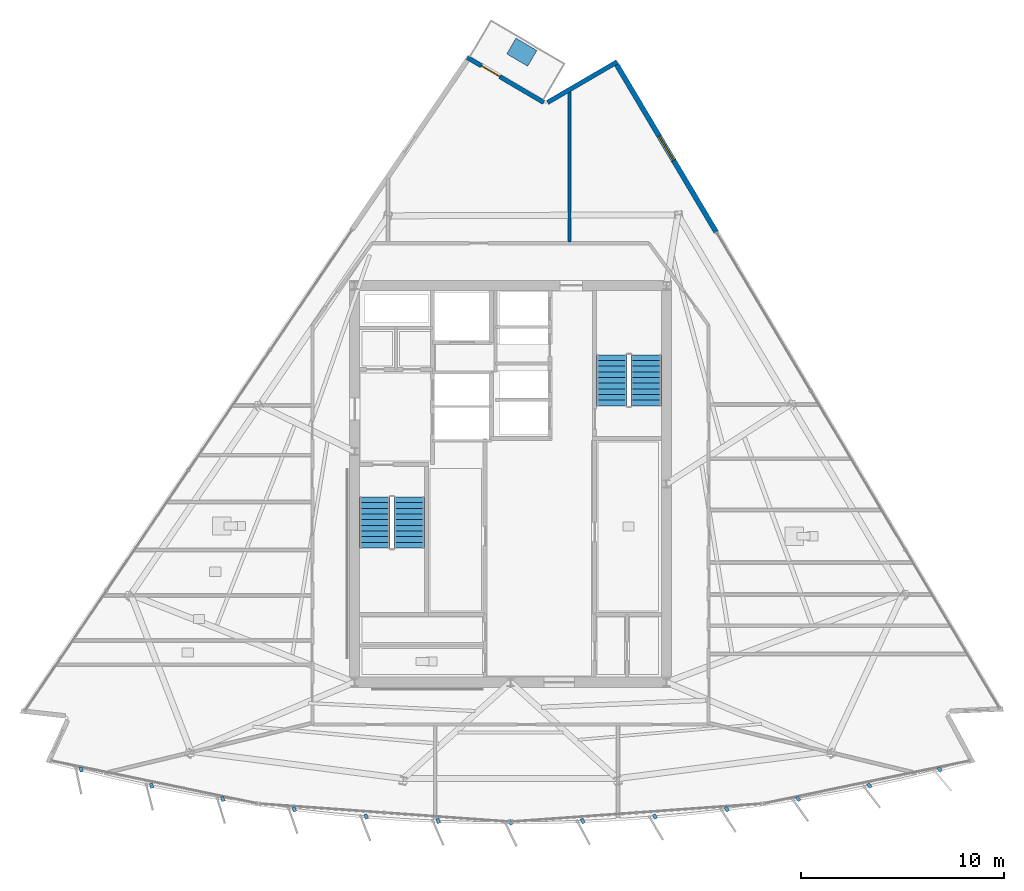
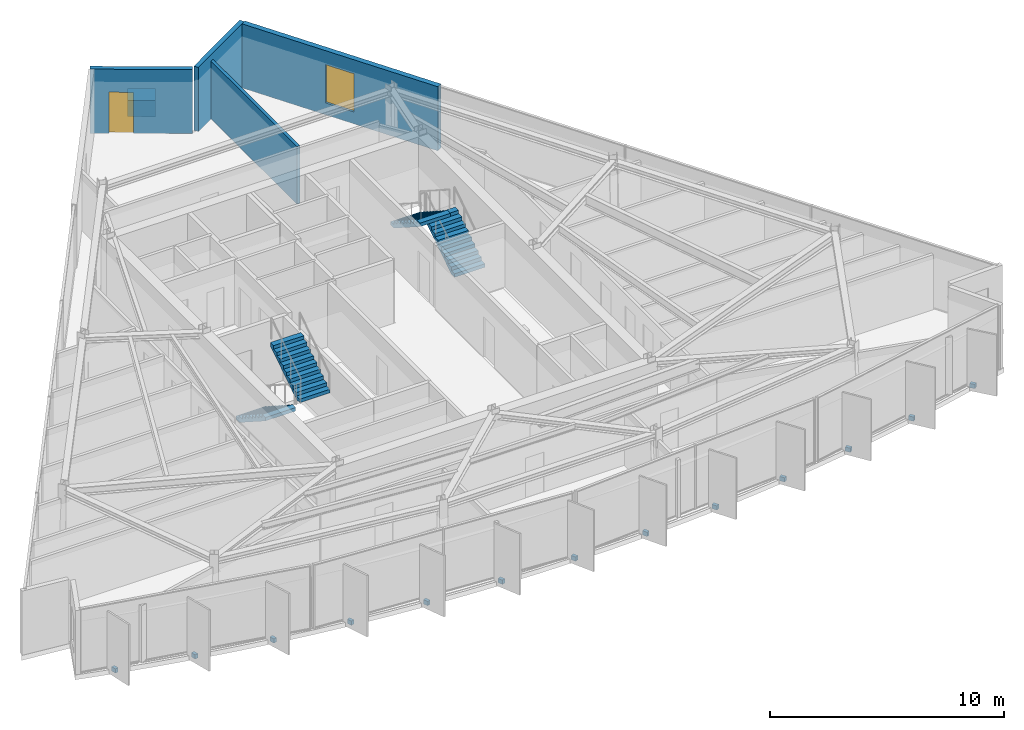
# One storey, part 9 of 13: 14 discrete accessories, 4 stair flights, 4 walls, 1 door, 1 window, 2 openings, 2 elements without a shape of their own.
"""IFC4 building model written with IfcOpenShell, lengths in metres."""

from ifc_helpers import new_model, si_unit, direction, frame, frame_2d, origin, origin_2d, place, context, subcontext, project, spatial, polyline, rectangle, outline, extrude, material, layer, layer_set, type_object, element, fill, aggregate, save


model = new_model("IFC4")

# Units and contexts
model_context = context("Model", 3, precision=1e-05, world=origin(), true_north=direction((0.0, 1.0)))
body_context = subcontext(model_context, "Body", "Model", "MODEL_VIEW")
ifc_project = project(units=[si_unit("LENGTHUNIT", "METRE"), si_unit("AREAUNIT", "SQUARE_METRE"), si_unit("VOLUMEUNIT", "CUBIC_METRE"), si_unit("PLANEANGLEUNIT", "RADIAN"), si_unit("MASSUNIT", "GRAM", prefix="KILO")], contexts=[model_context])

# Site, building, storey
site_placement = place(None, origin())
site = spatial("IfcSite", under=ifc_project, at=site_placement, CompositionType="ELEMENT")
building_placement = place(site_placement, origin())
building = spatial("IfcBuilding", under=site, at=building_placement, Name="Savorim Split Tower", CompositionType="ELEMENT")
storey_placement = place(building_placement, frame((0.0, 0.0, 254.39990234375)))
storey = spatial("IfcBuildingStorey", under=building, at=storey_placement, Name="L67", CompositionType="ELEMENT", Elevation=254.39990234375)

# Wall
ifc_material_1 = material(Name="Precast concrete C40/50", Category="concrete")
ifc_layer_1 = layer(ifc_material_1, 0.219970703125)
ifc_layer_set_1 = layer_set([ifc_layer_1], Name="WAL-EXT-CRN220")
wall_type_1 = type_object("IfcWallType", Name="WAL-EXT-CRN220", PredefinedType="SOLIDWALL", material=ifc_layer_set_1)
wall_1_placement = place(storey_placement, frame((1.832275390625, 19.233642578125, 0.0), z_axis=(0.0, 0.0, 1.0), x_axis=(0.86397765749, 0.503530145432, 0.0)))
element("IfcWall", 1, at=wall_1_placement, inside=storey, type_object=wall_type_1, Name="L67 Notched Corner Facade Wall NE1", PredefinedType="SOLIDWALL", context=body_context, shape_type="SweptSolid", body=[
    extrude(rectangle(XDim=3.963623046875, YDim=0.219970703125, at=frame_2d((1.98193359375, 0.0))), origin(), (0.0, 0.0, 1.0), 3.35009765625),
])

# Wall, opening, door
wall_2_placement = place(storey_placement, frame((-2.1337890625, 21.453125, 0.0), z_axis=(0.0, 0.0, 1.0), x_axis=(0.862106131527, -0.506727755292, 0.0)))
wall_2 = element("IfcWall", 2, at=wall_2_placement, inside=storey, type_object=wall_type_1, Name="L67 Notched Corner Facade Wall N", PredefinedType="SOLIDWALL", context=body_context, shape_type="SweptSolid", body=[
    extrude(rectangle(XDim=4.379638671875, YDim=0.219970703125, at=frame_2d((2.18994140625, 0.0))), origin(), (0.0, 0.0, 1.0), 3.35009765625),
])
opening_1_placement = place(wall_2_placement, frame((0.814697265625, 0.0, 0.0)))
opening_1 = element("IfcOpeningElement", 3, at=opening_1_placement, cuts=wall_2, Name="Opening DB-01", PredefinedType="OPENING", context=body_context, shape_type="SweptSolid", body=[
    extrude(rectangle(XDim=1.050048828125, YDim=2.14990234375, at=frame_2d((0.52490234375, 1.074951171875))), frame((0.0, 0.119873046875, 0.0), z_axis=(0.0, -1.0, 0.0), x_axis=(1.0, 0.0, 0.0)), (0.0, 0.0, 1.0), 0.239990234375),
])
ifc_material_2 = material(Name="Charcoal Anodised Aluminium", Category="aluminium")
door_type = type_object("IfcDoorType", Name="DOR-BAL-1050", OperationType="NOTDEFINED", PredefinedType="DOOR", material=ifc_material_2)
door_placement = place(opening_1_placement, origin())
door = element("IfcDoor", 4, at=door_placement, inside=storey, type_object=door_type, Name="DOR-L67-TBAL-N - L67 Planted Tree Balcony Door N", OperationType="SINGLE_SWING_RIGHT", OverallHeight=2.14990234375, OverallWidth=1.050048828125, PredefinedType="DOOR", context=body_context, shape_type="SweptSolid", body=[
    extrude(rectangle(XDim=1.050048828125, YDim=2.14990234375, at=frame_2d((0.52490234375, 1.074951171875))), frame((0.0, 0.02490234375, 0.0), z_axis=(0.0, -1.0, 0.0), x_axis=(1.0, 0.0, 0.0)), (0.0, 0.0, 1.0), 0.050048828125),
])
fill(opening_1, door)

# Wall, opening, window
ifc_layer_2 = layer(ifc_material_1, 0.25)
ifc_layer_set_2 = layer_set([ifc_layer_2], Name="WAL-EXT-SPN250")
wall_type_2 = type_object("IfcWallType", Name="WAL-EXT-SPN250", PredefinedType="SOLIDWALL", material=ifc_layer_set_2)
wall_3_placement = place(storey_placement, frame((5.240234375, 21.10302734375, 0.0), z_axis=(0.0, 0.0, 1.0), x_axis=(0.511088566076, -0.859528055171, 0.0)))
wall_3 = element("IfcWall", 5, at=wall_3_placement, inside=storey, type_object=wall_type_2, Name="L67 East Operable Window Pier", PredefinedType="SOLIDWALL", context=body_context, shape_type="SweptSolid", body=[
    extrude(rectangle(XDim=9.62158203125, YDim=0.25, at=frame_2d((4.810791015625, 0.0))), origin(), (0.0, 0.0, 1.0), 3.35009765625),
])
opening_2_placement = place(wall_3_placement, frame((4.11083984375, 0.0, 0.6201171875)))
opening_2 = element("IfcOpeningElement", 6, at=opening_2_placement, cuts=wall_3, Name="Opening WN-07", PredefinedType="OPENING", context=body_context, shape_type="SweptSolid", body=[
    extrude(rectangle(XDim=1.39990234375, YDim=2.0, at=frame_2d((0.699951171875, 1.0))), frame((0.0, 0.135009765625, 0.0), z_axis=(0.0, -1.0, 0.0), x_axis=(1.0, 0.0, 0.0)), (0.0, 0.0, 1.0), 0.27001953125),
])
ifc_material_3 = material(Name="Low-E Operable Double Glazing", Category="glass")
window_type = type_object("IfcWindowType", Name="WIN-TWR-1400x2000", PartitioningType="SINGLE_PANEL", PredefinedType="WINDOW", material=ifc_material_3)
window_placement = place(opening_2_placement, origin())
window = element("IfcWindow", 7, at=window_placement, inside=storey, type_object=window_type, Name="L67 East Operable Ventilation Window", OverallHeight=2.0, OverallWidth=1.39990234375, PartitioningType="SINGLE_PANEL", PredefinedType="WINDOW", context=body_context, shape_type="SweptSolid", body=[
    extrude(rectangle(XDim=1.39990234375, YDim=2.0, at=frame_2d((0.699951171875, 1.0))), frame((0.0, 0.030029296875, 0.0), z_axis=(0.0, -1.0, 0.0), x_axis=(1.0, 0.0, 0.0)), (0.0, 0.0, 1.0), 0.06005859375),
])
fill(opening_2, window)

# Wall
ifc_material_4 = material(Name="Acoustic Gypsum Partition Board")
ifc_layer_3 = layer(ifc_material_4, 0.14990234375)
ifc_layer_set_3 = layer_set([ifc_layer_3], Name="WAL-PAR-150")
wall_type_3 = type_object("IfcWallType", Name="WAL-PAR-150", PredefinedType="PARTITIONING", material=ifc_layer_set_3)
wall_4_placement = place(storey_placement, frame((2.91162109375, 12.340087890625, 0.0), z_axis=(0.0, 0.0, 1.0), x_axis=(0.0, 1.0, 0.0)))
element("IfcWall", 8, at=wall_4_placement, inside=storey, type_object=wall_type_3, Name="L67 Partition W-L67-SUB11", PredefinedType="PARTITIONING", context=body_context, shape_type="SweptSolid", body=[
    extrude(rectangle(XDim=7.46484375, YDim=0.14990234375, at=frame_2d((3.732421875, 0.0))), origin(), (0.0, 0.0, 1.0), 3.01513671875),
])

# Stair, stair flights
ifc_material_5 = material(Name="Concrete C50/60", Category="concrete")
stair_type = type_object("IfcStairType", Name="STR-DOG-3600", PredefinedType="HALF_TURN_STAIR", material=ifc_material_5)
stair_1_placement = place(storey_placement, origin())
stair_1 = element("IfcStair", 9, at=stair_1_placement, inside=storey, type_object=stair_type, Name="L67 Core Protected Exit Stair ST-1", PredefinedType="HALF_TURN_STAIR")
stair_flight_type = type_object("IfcStairFlightType", Name="SFL-DOG-3600", PredefinedType="STRAIGHT", material=ifc_material_5)
stair_flight_1_placement = place(storey_placement, frame((-6.699951171875, -0.25, 0.0), z_axis=(0.0, 0.0, 1.0), x_axis=(0.0, -1.0, 0.0)))
stair_flight_1 = element("IfcStairFlight", 10, at=stair_flight_1_placement, type_object=stair_flight_type, Name="ST-1 flight 1", NumberOfRisers=10, NumberOfTreads=9, PredefinedType="STRAIGHT", RiserHeight=0.18, TreadLength=0.28, context=body_context, shape_type="SweptSolid", body=[
    extrude(outline(polyline([(0.0, 0.0), (0.0, 0.179931640625), (0.280029296875, 0.179931640625), (0.280029296875, 0.360107421875), (0.56005859375, 0.360107421875), (0.56005859375, 0.5400390625), (0.840087890625, 0.5400390625), (0.840087890625, 0.719970703125), (1.1201171875, 0.719970703125), (1.1201171875, 0.89990234375), (1.39990234375, 0.89990234375), (1.39990234375, 1.080078125), (1.679931640625, 1.080078125), (1.679931640625, 1.260009765625), (1.9599609375, 1.260009765625), (1.9599609375, 1.43994140625), (2.239990234375, 1.43994140625), (2.239990234375, 1.6201171875), (2.52001953125, 1.6201171875), (2.52001953125, 1.800048828125), (2.52001953125, 1.44189453125), (0.277099609375, 0.0), (0.0, 0.0)])), frame((0.0, 0.75, 0.0), z_axis=(0.0, -1.0, 0.0), x_axis=(1.0, 0.0, 0.0)), (0.0, 0.0, 1.0), 1.5),
])
stair_flight_2_placement = place(storey_placement, frame((-5.0, -2.77001953125, 1.800048828125), z_axis=(0.0, 0.0, 1.0), x_axis=(0.0, 1.0, 0.0)))
stair_flight_2 = element("IfcStairFlight", 11, at=stair_flight_2_placement, type_object=stair_flight_type, Name="ST-1 flight 2", NumberOfRisers=10, NumberOfTreads=9, PredefinedType="STRAIGHT", RiserHeight=0.18, TreadLength=0.28, context=body_context, shape_type="SweptSolid", body=[
    extrude(outline(polyline([(0.0, 0.0), (0.0, 0.179931640625), (0.280029296875, 0.179931640625), (0.280029296875, 0.360107421875), (0.56005859375, 0.360107421875), (0.56005859375, 0.5400390625), (0.840087890625, 0.5400390625), (0.840087890625, 0.719970703125), (1.1201171875, 0.719970703125), (1.1201171875, 0.89990234375), (1.39990234375, 0.89990234375), (1.39990234375, 1.080078125), (1.679931640625, 1.080078125), (1.679931640625, 1.260009765625), (1.9599609375, 1.260009765625), (1.9599609375, 1.43994140625), (2.239990234375, 1.43994140625), (2.239990234375, 1.6201171875), (2.52001953125, 1.6201171875), (2.52001953125, 1.800048828125), (2.52001953125, 1.44189453125), (0.277099609375, 0.0), (0.0, 0.0)])), frame((0.0, 0.75, 0.0), z_axis=(0.0, -1.0, 0.0), x_axis=(1.0, 0.0, 0.0)), (0.0, 0.0, 1.0), 1.5),
])
aggregate(stair_1, [stair_flight_1, stair_flight_2])

stair_2_placement = place(storey_placement, origin())
stair_2 = element("IfcStair", 12, at=stair_2_placement, inside=storey, type_object=stair_type, Name="L67 Core Protected Exit Stair ST-2", PredefinedType="HALF_TURN_STAIR")
stair_flight_3_placement = place(storey_placement, frame((6.699951171875, 4.25, 0.0), z_axis=(0.0, 0.0, 1.0), x_axis=(0.0, 1.0, 0.0)))
stair_flight_3 = element("IfcStairFlight", 13, at=stair_flight_3_placement, type_object=stair_flight_type, Name="ST-2 flight 1", NumberOfRisers=10, NumberOfTreads=9, PredefinedType="STRAIGHT", RiserHeight=0.18, TreadLength=0.28, context=body_context, shape_type="SweptSolid", body=[
    extrude(outline(polyline([(0.0, 0.0), (0.0, 0.179931640625), (0.280029296875, 0.179931640625), (0.280029296875, 0.360107421875), (0.56005859375, 0.360107421875), (0.56005859375, 0.5400390625), (0.840087890625, 0.5400390625), (0.840087890625, 0.719970703125), (1.1201171875, 0.719970703125), (1.1201171875, 0.89990234375), (1.39990234375, 0.89990234375), (1.39990234375, 1.080078125), (1.679931640625, 1.080078125), (1.679931640625, 1.260009765625), (1.9599609375, 1.260009765625), (1.9599609375, 1.43994140625), (2.239990234375, 1.43994140625), (2.239990234375, 1.6201171875), (2.52001953125, 1.6201171875), (2.52001953125, 1.800048828125), (2.52001953125, 1.44189453125), (0.277099609375, 0.0), (0.0, 0.0)])), frame((0.0, 0.75, 0.0), z_axis=(0.0, -1.0, 0.0), x_axis=(1.0, 0.0, 0.0)), (0.0, 0.0, 1.0), 1.5),
])
stair_flight_4_placement = place(storey_placement, frame((5.0, 6.77001953125, 1.800048828125), z_axis=(0.0, 0.0, 1.0), x_axis=(0.0, -1.0, 0.0)))
stair_flight_4 = element("IfcStairFlight", 14, at=stair_flight_4_placement, type_object=stair_flight_type, Name="ST-2 flight 2", NumberOfRisers=10, NumberOfTreads=9, PredefinedType="STRAIGHT", RiserHeight=0.18, TreadLength=0.28, context=body_context, shape_type="SweptSolid", body=[
    extrude(outline(polyline([(0.0, 0.0), (0.0, 0.179931640625), (0.280029296875, 0.179931640625), (0.280029296875, 0.360107421875), (0.56005859375, 0.360107421875), (0.56005859375, 0.5400390625), (0.840087890625, 0.5400390625), (0.840087890625, 0.719970703125), (1.1201171875, 0.719970703125), (1.1201171875, 0.89990234375), (1.39990234375, 0.89990234375), (1.39990234375, 1.080078125), (1.679931640625, 1.080078125), (1.679931640625, 1.260009765625), (1.9599609375, 1.260009765625), (1.9599609375, 1.43994140625), (2.239990234375, 1.43994140625), (2.239990234375, 1.6201171875), (2.52001953125, 1.6201171875), (2.52001953125, 1.800048828125), (2.52001953125, 1.44189453125), (0.277099609375, 0.0), (0.0, 0.0)])), frame((0.0, 0.75, 0.0), z_axis=(0.0, -1.0, 0.0), x_axis=(1.0, 0.0, 0.0)), (0.0, 0.0, 1.0), 1.5),
])
aggregate(stair_2, [stair_flight_3, stair_flight_4])

# Discrete accessories
ifc_material_6 = material(Name="Steel S355", Category="steel")
discrete_accessory_type_1 = type_object("IfcDiscreteAccessoryType", Name="ACC-BRK-FIN", PredefinedType="BRACKET", material=ifc_material_6)
for number, where, z_axis, x_axis, name in (
    (15, (-21.19970703125, -13.70703125, -0.18994140625), (0.0, 0.0, 1.0), (0.206721626106, -0.978399800337, 0.0), "L67 Fin Slab-Edge Cleat Bracket 01"),
    (16, (-17.720947265625, -14.503662109375, -0.18994140625), (0.0, 0.0, 1.0), (0.246581250663, -0.969122121727, 0.0), "L67 Fin Slab-Edge Cleat Bracket 02"),
    (17, (-14.21240234375, -15.1572265625, -0.18994140625), (0.0, 0.0, 1.0), (0.286026212504, -0.958221793616, 0.0), "L67 Fin Slab-Edge Cleat Bracket 03"),
    (18, (-10.680419921875, -15.666748046875, -0.18994140625), (0.0, 0.0, 1.0), (0.324993810493, -0.945716143005, 0.0), "L67 Fin Slab-Edge Cleat Bracket 04"),
    (19, (-7.130126953125, -16.03125, -0.18994140625), (0.0, 0.0, 1.0), (0.363415461732, -0.931627179817, 0.0), "L67 Fin Slab-Edge Cleat Bracket 05"),
    (20, (-3.568115234375, -16.250244140625, -0.18994140625), (0.0, 0.0, 1.0), (0.401230091723, -0.915977299662, 0.0), "L67 Fin Slab-Edge Cleat Bracket 06"),
    (21, (0.0, -16.3232421875, -0.18994140625), (0.0, 0.0, 1.0), (0.438371146789, -0.898794046299, 0.0), "L67 Fin Slab-Edge Cleat Bracket 07"),
    (22, (3.568115234375, -16.250244140625, -0.18994140625), (0.0, 0.0, 1.0), (0.474778051978, -0.880105562623, 0.0), "L67 Fin Slab-Edge Cleat Bracket 08"),
    (23, (7.130126953125, -16.03125, -0.18994140625), (0.0, 0.0, 1.0), (0.510391336723, -0.859942255851, 0.0), "L67 Fin Slab-Edge Cleat Bracket 09"),
    (24, (10.680419921875, -15.666748046875, -0.18994140625), (0.0, 0.0, 1.0), (0.545148321708, -0.838339613366, 0.0), "L67 Fin Slab-Edge Cleat Bracket 10"),
    (25, (14.21240234375, -15.1572265625, -0.18994140625), (0.0, 0.0, 1.0), (0.578993757737, -0.815331974414, 0.0), "L67 Fin Slab-Edge Cleat Bracket 11"),
    (26, (17.720947265625, -14.503662109375, -0.18994140625), (0.0, 0.0, 1.0), (0.611868076908, -0.790959832394, 0.0), "L67 Fin Slab-Edge Cleat Bracket 12"),
    (27, (21.19970703125, -13.70703125, -0.18994140625), (0.0, 0.0, 1.0), (0.643719022682, -0.765261928909, 0.0), "L67 Fin Slab-Edge Cleat Bracket 13"),
):
    element("IfcDiscreteAccessory", number, at=place(storey_placement, frame(where, z_axis=z_axis, x_axis=x_axis)), inside=storey, type_object=discrete_accessory_type_1, Name=name, PredefinedType="BRACKET", context=body_context, shape_type="SweptSolid", body=[
        extrude(rectangle(XDim=0.239990234375, YDim=0.159912109375, at=origin_2d()), origin(), (0.0, 0.0, 1.0), 0.219970703125),
    ])
ifc_material_7 = material(Name="Architectural Precast Planter Concrete C40/50", Category="concrete")
discrete_accessory_type_2 = type_object("IfcDiscreteAccessoryType", Name="ACC-PLN-TREE", PredefinedType="USERDEFINED", material=ifc_material_7)
discrete_accessory_placement = place(storey_placement, frame((0.5595703125, 21.71435546875, 0.0), z_axis=(0.0, 0.0, 1.0), x_axis=(-0.862124808883, 0.50669597779, 0.0)))
element("IfcDiscreteAccessory", 28, at=discrete_accessory_placement, inside=storey, type_object=discrete_accessory_type_2, Name="L67 Balcony Precast Tree Planter N", ObjectType="PLANTER", PredefinedType="USERDEFINED", context=body_context, shape_type="SweptSolid", body=[
    extrude(rectangle(XDim=1.199951171875, YDim=0.89990234375, at=origin_2d()), origin(), (0.0, 0.0, 1.0), 0.85009765625),
])

save(model, "model.ifc")
